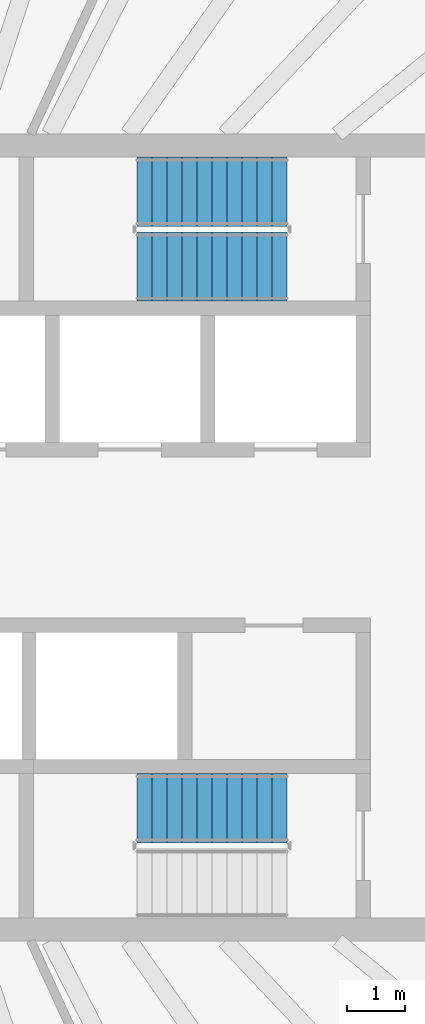
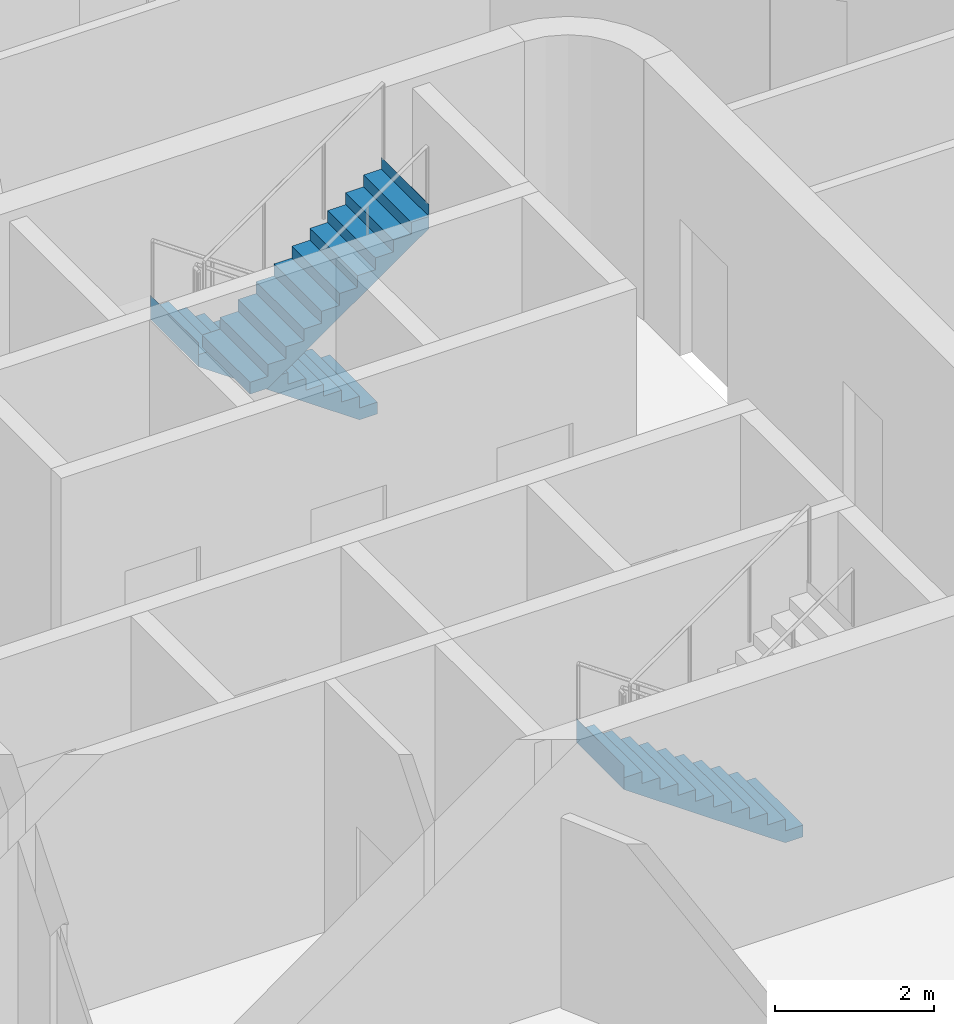
# One storey, part 13 of 18: 3 stair flights, 2 elements without a shape of their own.
"""IFC4 building model written with IfcOpenShell, lengths in metres."""

from ifc_helpers import new_model, si_unit, direction, frame, origin, place, context, subcontext, project, spatial, triangles, material, type_object, element, aggregate, save


model = new_model("IFC4")

# Units and contexts
model_context = context("Model", 3, precision=1e-05, world=origin(), true_north=direction((0.0, 1.0)))
body_context = subcontext(model_context, "Body", "Model", "MODEL_VIEW")
ifc_project = project(units=[si_unit("LENGTHUNIT", "METRE"), si_unit("AREAUNIT", "SQUARE_METRE"), si_unit("VOLUMEUNIT", "CUBIC_METRE"), si_unit("PLANEANGLEUNIT", "RADIAN"), si_unit("MASSUNIT", "GRAM", prefix="KILO")], contexts=[model_context])

# Site, building, storey
site_placement = place(None, origin())
site = spatial("IfcSite", under=ifc_project, at=site_placement, CompositionType="ELEMENT")
building_placement = place(site_placement, origin())
building = spatial("IfcBuilding", under=site, at=building_placement, Name="Sahrelin Media Tower", CompositionType="ELEMENT")
storey_placement = place(building_placement, frame((0.0, 0.0, 316.39990234375)))
storey = spatial("IfcBuildingStorey", under=building, at=storey_placement, Name="L70", CompositionType="ELEMENT", Elevation=316.39990234375)

# Stair, stair flights
ifc_material = material(Name="Concrete C40/50", Category="concrete")
stair_type = type_object("IfcStairType", Name="Exit stair 1200", PredefinedType="HALF_TURN_STAIR", material=ifc_material)
placement = place(storey_placement, origin())
stair_1 = element("IfcStair", 1, at=placement, inside=storey, type_object=stair_type, Name="L70 Exit stair ST3", PredefinedType="HALF_TURN_STAIR")
stair_flight_type = type_object("IfcStairFlightType", Name="Stair flight 1200", PredefinedType="STRAIGHT", material=ifc_material)
stair_flight_1_placement = place(storey_placement, frame((7.675048828125, 6.0, 0.0), z_axis=(0.0, 0.0, 1.0), x_axis=(-1.0, 0.0, 0.0)))
stair_flight_1 = element("IfcStairFlight", 2, at=stair_flight_1_placement, type_object=stair_flight_type, Name="ST3 flight 1", NumberOfRisers=11, NumberOfTreads=10, PredefinedType="STRAIGHT", RiserHeight=0.181818182, TreadLength=0.26, context=body_context, shape_type="Tessellation", body=[
    triangles([(0.261474609375, 0.60009765625, 0.0), (0.261474609375, 0.300048828125, 0.0), (0.261474609375, 0.0, 0.0), (0.261474609375, -0.300048828125, 0.0), (0.261474609375, -0.60009765625, 0.0), (2.60009765625, 0.60009765625, 1.63525390625), (2.60009765625, 0.300048828125, 1.63525390625), (2.60009765625, 0.0, 1.63525390625), (2.60009765625, -0.300048828125, 1.63525390625), (2.60009765625, -0.60009765625, 1.63525390625), (2.60009765625, 0.60009765625, 2.0), (2.60009765625, 0.300048828125, 2.0), (2.60009765625, 0.0, 2.0), (2.60009765625, -0.300048828125, 2.0), (2.60009765625, -0.60009765625, 2.0), (2.597900390625, 0.60009765625, 2.0), (2.597900390625, 0.300048828125, 2.0), (2.597900390625, 0.0, 2.0), (2.597900390625, -0.300048828125, 2.0), (2.597900390625, -0.60009765625, 2.0), (2.597900390625, 0.60009765625, 1.818115234375), (2.597900390625, 0.300048828125, 1.818115234375), (2.597900390625, 0.0, 1.818115234375), (2.597900390625, -0.300048828125, 1.818115234375), (2.597900390625, -0.60009765625, 1.818115234375), (2.340087890625, 0.60009765625, 1.818115234375), (2.340087890625, 0.300048828125, 1.818115234375), (2.340087890625, 0.0, 1.818115234375), (2.340087890625, -0.300048828125, 1.818115234375), (2.340087890625, -0.60009765625, 1.818115234375), (2.340087890625, 0.60009765625, 1.636474609375), (2.340087890625, 0.300048828125, 1.636474609375), (2.340087890625, 0.0, 1.636474609375), (2.340087890625, -0.300048828125, 1.636474609375), (2.340087890625, -0.60009765625, 1.636474609375), (2.080078125, 0.60009765625, 1.636474609375), (2.080078125, 0.300048828125, 1.636474609375), (2.080078125, 0.0, 1.636474609375), (2.080078125, -0.300048828125, 1.636474609375), (2.080078125, -0.60009765625, 1.636474609375), (2.080078125, 0.60009765625, 1.45458984375), (2.080078125, 0.300048828125, 1.45458984375), (2.080078125, 0.0, 1.45458984375), (2.080078125, -0.300048828125, 1.45458984375), (2.080078125, -0.60009765625, 1.45458984375), (1.820068359375, 0.60009765625, 1.45458984375), (1.820068359375, 0.300048828125, 1.45458984375), (1.820068359375, 0.0, 1.45458984375), (1.820068359375, -0.300048828125, 1.45458984375), (1.820068359375, -0.60009765625, 1.45458984375), (1.820068359375, 0.60009765625, 1.272705078125), (1.820068359375, 0.300048828125, 1.272705078125), (1.820068359375, 0.0, 1.272705078125), (1.820068359375, -0.300048828125, 1.272705078125), (1.820068359375, -0.60009765625, 1.272705078125), (1.56005859375, 0.60009765625, 1.272705078125), (1.56005859375, 0.300048828125, 1.272705078125), (1.56005859375, 0.0, 1.272705078125), (1.56005859375, -0.300048828125, 1.272705078125), (1.56005859375, -0.60009765625, 1.272705078125), (1.56005859375, 0.60009765625, 1.0908203125), (1.56005859375, 0.300048828125, 1.0908203125), (1.56005859375, 0.0, 1.0908203125), (1.56005859375, -0.300048828125, 1.0908203125), (1.56005859375, -0.60009765625, 1.0908203125), (1.300048828125, 0.60009765625, 1.0908203125), (1.300048828125, 0.300048828125, 1.0908203125), (1.300048828125, 0.0, 1.0908203125), (1.300048828125, -0.300048828125, 1.0908203125), (1.300048828125, -0.60009765625, 1.0908203125), (1.300048828125, 0.60009765625, 0.9091796875), (1.300048828125, 0.300048828125, 0.9091796875), (1.300048828125, 0.0, 0.9091796875), (1.300048828125, -0.300048828125, 0.9091796875), (1.300048828125, -0.60009765625, 0.9091796875), (1.0400390625, 0.60009765625, 0.9091796875), (1.0400390625, 0.300048828125, 0.9091796875), (1.0400390625, 0.0, 0.9091796875), (1.0400390625, -0.300048828125, 0.9091796875), (1.0400390625, -0.60009765625, 0.9091796875), (1.0400390625, 0.60009765625, 0.727294921875), (1.0400390625, 0.300048828125, 0.727294921875), (1.0400390625, 0.0, 0.727294921875), (1.0400390625, -0.300048828125, 0.727294921875), (1.0400390625, -0.60009765625, 0.727294921875), (0.780029296875, 0.60009765625, 0.727294921875), (0.780029296875, 0.300048828125, 0.727294921875), (0.780029296875, 0.0, 0.727294921875), (0.780029296875, -0.300048828125, 0.727294921875), (0.780029296875, -0.60009765625, 0.727294921875), (0.780029296875, 0.60009765625, 0.54541015625), (0.780029296875, 0.300048828125, 0.54541015625), (0.780029296875, 0.0, 0.54541015625), (0.780029296875, -0.300048828125, 0.54541015625), (0.780029296875, -0.60009765625, 0.54541015625), (0.52001953125, 0.60009765625, 0.54541015625), (0.52001953125, 0.300048828125, 0.54541015625), (0.52001953125, 0.0, 0.54541015625), (0.52001953125, -0.300048828125, 0.54541015625), (0.52001953125, -0.60009765625, 0.54541015625), (0.52001953125, 0.60009765625, 0.363525390625), (0.52001953125, 0.300048828125, 0.363525390625), (0.52001953125, 0.0, 0.363525390625), (0.52001953125, -0.300048828125, 0.363525390625), (0.52001953125, -0.60009765625, 0.363525390625), (0.260009765625, 0.60009765625, 0.363525390625), (0.260009765625, 0.300048828125, 0.363525390625), (0.260009765625, 0.0, 0.363525390625), (0.260009765625, -0.300048828125, 0.363525390625), (0.260009765625, -0.60009765625, 0.363525390625), (0.260009765625, 0.60009765625, 0.181884765625), (0.260009765625, 0.300048828125, 0.181884765625), (0.260009765625, 0.0, 0.181884765625), (0.260009765625, -0.300048828125, 0.181884765625), (0.260009765625, -0.60009765625, 0.181884765625), (0.0, 0.60009765625, 0.181884765625), (0.0, 0.300048828125, 0.181884765625), (0.0, 0.0, 0.181884765625), (0.0, -0.300048828125, 0.181884765625), (0.0, -0.60009765625, 0.181884765625), (0.0, 0.60009765625, 0.0), (0.0, 0.300048828125, 0.0), (0.0, 0.0, 0.0), (0.0, -0.300048828125, 0.0), (0.0, -0.60009765625, 0.0)], [[1, 6, 7], [1, 7, 2], [2, 7, 8], [2, 8, 3], [3, 8, 9], [3, 9, 4], [4, 9, 10], [4, 10, 5], [6, 11, 12], [6, 12, 7], [7, 12, 13], [7, 13, 8], [8, 13, 14], [8, 14, 9], [9, 14, 15], [9, 15, 10], [11, 16, 17], [11, 17, 12], [12, 17, 18], [12, 18, 13], [13, 18, 19], [13, 19, 14], [14, 19, 20], [14, 20, 15], [16, 21, 22], [16, 22, 17], [17, 22, 23], [17, 23, 18], [18, 23, 24], [18, 24, 19], [19, 24, 25], [19, 25, 20], [21, 26, 27], [21, 27, 22], [22, 27, 28], [22, 28, 23], [23, 28, 29], [23, 29, 24], [24, 29, 30], [24, 30, 25], [26, 31, 32], [26, 32, 27], [27, 32, 33], [27, 33, 28], [28, 33, 34], [28, 34, 29], [29, 34, 35], [29, 35, 30], [31, 36, 37], [31, 37, 32], [32, 37, 38], [32, 38, 33], [33, 38, 39], [33, 39, 34], [34, 39, 40], [34, 40, 35], [36, 41, 42], [36, 42, 37], [37, 42, 43], [37, 43, 38], [38, 43, 44], [38, 44, 39], [39, 44, 45], [39, 45, 40], [41, 46, 47], [41, 47, 42], [42, 47, 48], [42, 48, 43], [43, 48, 49], [43, 49, 44], [44, 49, 50], [44, 50, 45], [46, 51, 52], [46, 52, 47], [47, 52, 53], [47, 53, 48], [48, 53, 54], [48, 54, 49], [49, 54, 55], [49, 55, 50], [51, 56, 57], [51, 57, 52], [52, 57, 58], [52, 58, 53], [53, 58, 59], [53, 59, 54], [54, 59, 60], [54, 60, 55], [56, 61, 62], [56, 62, 57], [57, 62, 63], [57, 63, 58], [58, 63, 64], [58, 64, 59], [59, 64, 65], [59, 65, 60], [61, 66, 67], [61, 67, 62], [62, 67, 68], [62, 68, 63], [63, 68, 69], [63, 69, 64], [64, 69, 70], [64, 70, 65], [66, 71, 72], [66, 72, 67], [67, 72, 73], [67, 73, 68], [68, 73, 74], [68, 74, 69], [69, 74, 75], [69, 75, 70], [71, 76, 77], [71, 77, 72], [72, 77, 78], [72, 78, 73], [73, 78, 79], [73, 79, 74], [74, 79, 80], [74, 80, 75], [76, 81, 82], [76, 82, 77], [77, 82, 83], [77, 83, 78], [78, 83, 84], [78, 84, 79], [79, 84, 85], [79, 85, 80], [81, 86, 87], [81, 87, 82], [82, 87, 88], [82, 88, 83], [83, 88, 89], [83, 89, 84], [84, 89, 90], [84, 90, 85], [86, 91, 92], [86, 92, 87], [87, 92, 93], [87, 93, 88], [88, 93, 94], [88, 94, 89], [89, 94, 95], [89, 95, 90], [91, 96, 97], [91, 97, 92], [92, 97, 98], [92, 98, 93], [93, 98, 99], [93, 99, 94], [94, 99, 100], [94, 100, 95], [96, 101, 102], [96, 102, 97], [97, 102, 103], [97, 103, 98], [98, 103, 104], [98, 104, 99], [99, 104, 105], [99, 105, 100], [101, 106, 107], [101, 107, 102], [102, 107, 108], [102, 108, 103], [103, 108, 109], [103, 109, 104], [104, 109, 110], [104, 110, 105], [106, 111, 112], [106, 112, 107], [107, 112, 113], [107, 113, 108], [108, 113, 114], [108, 114, 109], [109, 114, 115], [109, 115, 110], [111, 116, 117], [111, 117, 112], [112, 117, 118], [112, 118, 113], [113, 118, 119], [113, 119, 114], [114, 119, 120], [114, 120, 115], [116, 121, 122], [116, 122, 117], [117, 122, 123], [117, 123, 118], [118, 123, 124], [118, 124, 119], [119, 124, 125], [119, 125, 120], [121, 1, 2], [121, 2, 122], [122, 2, 3], [122, 3, 123], [123, 3, 4], [123, 4, 124], [124, 4, 5], [124, 5, 125], [115, 120, 125], [111, 121, 116], [115, 105, 110], [111, 106, 101], [105, 95, 100], [101, 96, 91], [95, 85, 90], [91, 86, 81], [85, 75, 80], [81, 76, 71], [75, 65, 70], [71, 66, 61], [65, 55, 60], [61, 56, 51], [55, 45, 50], [51, 46, 41], [45, 35, 40], [41, 36, 31], [35, 25, 30], [31, 26, 21], [25, 15, 20], [21, 16, 11], [125, 5, 115], [121, 111, 1], [25, 10, 15], [21, 11, 6], [105, 115, 5], [101, 1, 111], [35, 10, 25], [31, 21, 6], [95, 105, 5], [91, 1, 101], [45, 10, 35], [41, 31, 6], [85, 95, 5], [81, 1, 91], [55, 10, 45], [51, 41, 6], [75, 85, 5], [71, 1, 81], [65, 10, 55], [61, 51, 6], [5, 10, 75], [1, 71, 6], [75, 10, 65], [71, 61, 6]], closed=True),
])
stair_flight_2_placement = place(storey_placement, frame((5.074951171875, 4.699951171875, 2.0), z_axis=(0.0, 0.0, 1.0), x_axis=(1.0, 0.0, 0.0)))
stair_flight_2 = element("IfcStairFlight", 3, at=stair_flight_2_placement, type_object=stair_flight_type, Name="ST3 flight 2", NumberOfRisers=11, NumberOfTreads=10, PredefinedType="STRAIGHT", RiserHeight=0.181818182, TreadLength=0.26, context=body_context, shape_type="Tessellation", body=[
    triangles([(0.261474609375, 0.60009765625, 0.0), (0.261474609375, 0.300048828125, 0.0), (0.261474609375, 0.0, 0.0), (0.261474609375, -0.300048828125, 0.0), (0.261474609375, -0.60009765625, 0.0), (2.60009765625, 0.60009765625, 1.63525390625), (2.60009765625, 0.300048828125, 1.63525390625), (2.60009765625, 0.0, 1.63525390625), (2.60009765625, -0.300048828125, 1.63525390625), (2.60009765625, -0.60009765625, 1.63525390625), (2.60009765625, 0.60009765625, 2.0), (2.60009765625, 0.300048828125, 2.0), (2.60009765625, 0.0, 2.0), (2.60009765625, -0.300048828125, 2.0), (2.60009765625, -0.60009765625, 2.0), (2.597900390625, 0.60009765625, 2.0), (2.597900390625, 0.300048828125, 2.0), (2.597900390625, 0.0, 2.0), (2.597900390625, -0.300048828125, 2.0), (2.597900390625, -0.60009765625, 2.0), (2.597900390625, 0.60009765625, 1.818115234375), (2.597900390625, 0.300048828125, 1.818115234375), (2.597900390625, 0.0, 1.818115234375), (2.597900390625, -0.300048828125, 1.818115234375), (2.597900390625, -0.60009765625, 1.818115234375), (2.340087890625, 0.60009765625, 1.818115234375), (2.340087890625, 0.300048828125, 1.818115234375), (2.340087890625, 0.0, 1.818115234375), (2.340087890625, -0.300048828125, 1.818115234375), (2.340087890625, -0.60009765625, 1.818115234375), (2.340087890625, 0.60009765625, 1.636474609375), (2.340087890625, 0.300048828125, 1.636474609375), (2.340087890625, 0.0, 1.636474609375), (2.340087890625, -0.300048828125, 1.636474609375), (2.340087890625, -0.60009765625, 1.636474609375), (2.080078125, 0.60009765625, 1.636474609375), (2.080078125, 0.300048828125, 1.636474609375), (2.080078125, 0.0, 1.636474609375), (2.080078125, -0.300048828125, 1.636474609375), (2.080078125, -0.60009765625, 1.636474609375), (2.080078125, 0.60009765625, 1.45458984375), (2.080078125, 0.300048828125, 1.45458984375), (2.080078125, 0.0, 1.45458984375), (2.080078125, -0.300048828125, 1.45458984375), (2.080078125, -0.60009765625, 1.45458984375), (1.820068359375, 0.60009765625, 1.45458984375), (1.820068359375, 0.300048828125, 1.45458984375), (1.820068359375, 0.0, 1.45458984375), (1.820068359375, -0.300048828125, 1.45458984375), (1.820068359375, -0.60009765625, 1.45458984375), (1.820068359375, 0.60009765625, 1.272705078125), (1.820068359375, 0.300048828125, 1.272705078125), (1.820068359375, 0.0, 1.272705078125), (1.820068359375, -0.300048828125, 1.272705078125), (1.820068359375, -0.60009765625, 1.272705078125), (1.56005859375, 0.60009765625, 1.272705078125), (1.56005859375, 0.300048828125, 1.272705078125), (1.56005859375, 0.0, 1.272705078125), (1.56005859375, -0.300048828125, 1.272705078125), (1.56005859375, -0.60009765625, 1.272705078125), (1.56005859375, 0.60009765625, 1.0908203125), (1.56005859375, 0.300048828125, 1.0908203125), (1.56005859375, 0.0, 1.0908203125), (1.56005859375, -0.300048828125, 1.0908203125), (1.56005859375, -0.60009765625, 1.0908203125), (1.300048828125, 0.60009765625, 1.0908203125), (1.300048828125, 0.300048828125, 1.0908203125), (1.300048828125, 0.0, 1.0908203125), (1.300048828125, -0.300048828125, 1.0908203125), (1.300048828125, -0.60009765625, 1.0908203125), (1.300048828125, 0.60009765625, 0.9091796875), (1.300048828125, 0.300048828125, 0.9091796875), (1.300048828125, 0.0, 0.9091796875), (1.300048828125, -0.300048828125, 0.9091796875), (1.300048828125, -0.60009765625, 0.9091796875), (1.0400390625, 0.60009765625, 0.9091796875), (1.0400390625, 0.300048828125, 0.9091796875), (1.0400390625, 0.0, 0.9091796875), (1.0400390625, -0.300048828125, 0.9091796875), (1.0400390625, -0.60009765625, 0.9091796875), (1.0400390625, 0.60009765625, 0.727294921875), (1.0400390625, 0.300048828125, 0.727294921875), (1.0400390625, 0.0, 0.727294921875), (1.0400390625, -0.300048828125, 0.727294921875), (1.0400390625, -0.60009765625, 0.727294921875), (0.780029296875, 0.60009765625, 0.727294921875), (0.780029296875, 0.300048828125, 0.727294921875), (0.780029296875, 0.0, 0.727294921875), (0.780029296875, -0.300048828125, 0.727294921875), (0.780029296875, -0.60009765625, 0.727294921875), (0.780029296875, 0.60009765625, 0.54541015625), (0.780029296875, 0.300048828125, 0.54541015625), (0.780029296875, 0.0, 0.54541015625), (0.780029296875, -0.300048828125, 0.54541015625), (0.780029296875, -0.60009765625, 0.54541015625), (0.52001953125, 0.60009765625, 0.54541015625), (0.52001953125, 0.300048828125, 0.54541015625), (0.52001953125, 0.0, 0.54541015625), (0.52001953125, -0.300048828125, 0.54541015625), (0.52001953125, -0.60009765625, 0.54541015625), (0.52001953125, 0.60009765625, 0.363525390625), (0.52001953125, 0.300048828125, 0.363525390625), (0.52001953125, 0.0, 0.363525390625), (0.52001953125, -0.300048828125, 0.363525390625), (0.52001953125, -0.60009765625, 0.363525390625), (0.260009765625, 0.60009765625, 0.363525390625), (0.260009765625, 0.300048828125, 0.363525390625), (0.260009765625, 0.0, 0.363525390625), (0.260009765625, -0.300048828125, 0.363525390625), (0.260009765625, -0.60009765625, 0.363525390625), (0.260009765625, 0.60009765625, 0.181884765625), (0.260009765625, 0.300048828125, 0.181884765625), (0.260009765625, 0.0, 0.181884765625), (0.260009765625, -0.300048828125, 0.181884765625), (0.260009765625, -0.60009765625, 0.181884765625), (0.0, 0.60009765625, 0.181884765625), (0.0, 0.300048828125, 0.181884765625), (0.0, 0.0, 0.181884765625), (0.0, -0.300048828125, 0.181884765625), (0.0, -0.60009765625, 0.181884765625), (0.0, 0.60009765625, 0.0), (0.0, 0.300048828125, 0.0), (0.0, 0.0, 0.0), (0.0, -0.300048828125, 0.0), (0.0, -0.60009765625, 0.0)], [[1, 6, 7], [1, 7, 2], [2, 7, 8], [2, 8, 3], [3, 8, 9], [3, 9, 4], [4, 9, 10], [4, 10, 5], [6, 11, 12], [6, 12, 7], [7, 12, 13], [7, 13, 8], [8, 13, 14], [8, 14, 9], [9, 14, 15], [9, 15, 10], [11, 16, 17], [11, 17, 12], [12, 17, 18], [12, 18, 13], [13, 18, 19], [13, 19, 14], [14, 19, 20], [14, 20, 15], [16, 21, 22], [16, 22, 17], [17, 22, 23], [17, 23, 18], [18, 23, 24], [18, 24, 19], [19, 24, 25], [19, 25, 20], [21, 26, 27], [21, 27, 22], [22, 27, 28], [22, 28, 23], [23, 28, 29], [23, 29, 24], [24, 29, 30], [24, 30, 25], [26, 31, 32], [26, 32, 27], [27, 32, 33], [27, 33, 28], [28, 33, 34], [28, 34, 29], [29, 34, 35], [29, 35, 30], [31, 36, 37], [31, 37, 32], [32, 37, 38], [32, 38, 33], [33, 38, 39], [33, 39, 34], [34, 39, 40], [34, 40, 35], [36, 41, 42], [36, 42, 37], [37, 42, 43], [37, 43, 38], [38, 43, 44], [38, 44, 39], [39, 44, 45], [39, 45, 40], [41, 46, 47], [41, 47, 42], [42, 47, 48], [42, 48, 43], [43, 48, 49], [43, 49, 44], [44, 49, 50], [44, 50, 45], [46, 51, 52], [46, 52, 47], [47, 52, 53], [47, 53, 48], [48, 53, 54], [48, 54, 49], [49, 54, 55], [49, 55, 50], [51, 56, 57], [51, 57, 52], [52, 57, 58], [52, 58, 53], [53, 58, 59], [53, 59, 54], [54, 59, 60], [54, 60, 55], [56, 61, 62], [56, 62, 57], [57, 62, 63], [57, 63, 58], [58, 63, 64], [58, 64, 59], [59, 64, 65], [59, 65, 60], [61, 66, 67], [61, 67, 62], [62, 67, 68], [62, 68, 63], [63, 68, 69], [63, 69, 64], [64, 69, 70], [64, 70, 65], [66, 71, 72], [66, 72, 67], [67, 72, 73], [67, 73, 68], [68, 73, 74], [68, 74, 69], [69, 74, 75], [69, 75, 70], [71, 76, 77], [71, 77, 72], [72, 77, 78], [72, 78, 73], [73, 78, 79], [73, 79, 74], [74, 79, 80], [74, 80, 75], [76, 81, 82], [76, 82, 77], [77, 82, 83], [77, 83, 78], [78, 83, 84], [78, 84, 79], [79, 84, 85], [79, 85, 80], [81, 86, 87], [81, 87, 82], [82, 87, 88], [82, 88, 83], [83, 88, 89], [83, 89, 84], [84, 89, 90], [84, 90, 85], [86, 91, 92], [86, 92, 87], [87, 92, 93], [87, 93, 88], [88, 93, 94], [88, 94, 89], [89, 94, 95], [89, 95, 90], [91, 96, 97], [91, 97, 92], [92, 97, 98], [92, 98, 93], [93, 98, 99], [93, 99, 94], [94, 99, 100], [94, 100, 95], [96, 101, 102], [96, 102, 97], [97, 102, 103], [97, 103, 98], [98, 103, 104], [98, 104, 99], [99, 104, 105], [99, 105, 100], [101, 106, 107], [101, 107, 102], [102, 107, 108], [102, 108, 103], [103, 108, 109], [103, 109, 104], [104, 109, 110], [104, 110, 105], [106, 111, 112], [106, 112, 107], [107, 112, 113], [107, 113, 108], [108, 113, 114], [108, 114, 109], [109, 114, 115], [109, 115, 110], [111, 116, 117], [111, 117, 112], [112, 117, 118], [112, 118, 113], [113, 118, 119], [113, 119, 114], [114, 119, 120], [114, 120, 115], [116, 121, 122], [116, 122, 117], [117, 122, 123], [117, 123, 118], [118, 123, 124], [118, 124, 119], [119, 124, 125], [119, 125, 120], [121, 1, 2], [121, 2, 122], [122, 2, 3], [122, 3, 123], [123, 3, 4], [123, 4, 124], [124, 4, 5], [124, 5, 125], [115, 120, 125], [111, 121, 116], [115, 105, 110], [111, 106, 101], [105, 95, 100], [101, 96, 91], [95, 85, 90], [91, 86, 81], [85, 75, 80], [81, 76, 71], [75, 65, 70], [71, 66, 61], [65, 55, 60], [61, 56, 51], [55, 45, 50], [51, 46, 41], [45, 35, 40], [41, 36, 31], [35, 25, 30], [31, 26, 21], [25, 15, 20], [21, 16, 11], [125, 5, 115], [121, 111, 1], [25, 10, 15], [21, 11, 6], [105, 115, 5], [101, 1, 111], [35, 10, 25], [31, 21, 6], [95, 105, 5], [91, 1, 101], [45, 10, 35], [41, 31, 6], [85, 95, 5], [81, 1, 91], [55, 10, 45], [51, 41, 6], [75, 85, 5], [71, 1, 81], [65, 10, 55], [61, 51, 6], [5, 10, 75], [1, 71, 6], [75, 10, 65], [71, 61, 6]], closed=True),
])
aggregate(stair_1, [stair_flight_1, stair_flight_2])

# Stair, stair flight
stair_2 = element("IfcStair", 4, at=placement, inside=storey, type_object=stair_type, Name="L70 Exit stair ST2", PredefinedType="HALF_TURN_STAIR")
stair_flight_3_placement = place(storey_placement, frame((7.675048828125, -4.699951171875, 0.0), z_axis=(0.0, 0.0, 1.0), x_axis=(-1.0, 0.0, 0.0)))
stair_flight_3 = element("IfcStairFlight", 5, at=stair_flight_3_placement, type_object=stair_flight_type, Name="ST2 flight 1", NumberOfRisers=11, NumberOfTreads=10, PredefinedType="STRAIGHT", RiserHeight=0.181818182, TreadLength=0.26, context=body_context, shape_type="Tessellation", body=[
    triangles([(0.261474609375, 0.60009765625, 0.0), (0.261474609375, 0.300048828125, 0.0), (0.261474609375, 0.0, 0.0), (0.261474609375, -0.300048828125, 0.0), (0.261474609375, -0.60009765625, 0.0), (2.60009765625, 0.60009765625, 1.63525390625), (2.60009765625, 0.300048828125, 1.63525390625), (2.60009765625, 0.0, 1.63525390625), (2.60009765625, -0.300048828125, 1.63525390625), (2.60009765625, -0.60009765625, 1.63525390625), (2.60009765625, 0.60009765625, 2.0), (2.60009765625, 0.300048828125, 2.0), (2.60009765625, 0.0, 2.0), (2.60009765625, -0.300048828125, 2.0), (2.60009765625, -0.60009765625, 2.0), (2.597900390625, 0.60009765625, 2.0), (2.597900390625, 0.300048828125, 2.0), (2.597900390625, 0.0, 2.0), (2.597900390625, -0.300048828125, 2.0), (2.597900390625, -0.60009765625, 2.0), (2.597900390625, 0.60009765625, 1.818115234375), (2.597900390625, 0.300048828125, 1.818115234375), (2.597900390625, 0.0, 1.818115234375), (2.597900390625, -0.300048828125, 1.818115234375), (2.597900390625, -0.60009765625, 1.818115234375), (2.340087890625, 0.60009765625, 1.818115234375), (2.340087890625, 0.300048828125, 1.818115234375), (2.340087890625, 0.0, 1.818115234375), (2.340087890625, -0.300048828125, 1.818115234375), (2.340087890625, -0.60009765625, 1.818115234375), (2.340087890625, 0.60009765625, 1.636474609375), (2.340087890625, 0.300048828125, 1.636474609375), (2.340087890625, 0.0, 1.636474609375), (2.340087890625, -0.300048828125, 1.636474609375), (2.340087890625, -0.60009765625, 1.636474609375), (2.080078125, 0.60009765625, 1.636474609375), (2.080078125, 0.300048828125, 1.636474609375), (2.080078125, 0.0, 1.636474609375), (2.080078125, -0.300048828125, 1.636474609375), (2.080078125, -0.60009765625, 1.636474609375), (2.080078125, 0.60009765625, 1.45458984375), (2.080078125, 0.300048828125, 1.45458984375), (2.080078125, 0.0, 1.45458984375), (2.080078125, -0.300048828125, 1.45458984375), (2.080078125, -0.60009765625, 1.45458984375), (1.820068359375, 0.60009765625, 1.45458984375), (1.820068359375, 0.300048828125, 1.45458984375), (1.820068359375, 0.0, 1.45458984375), (1.820068359375, -0.300048828125, 1.45458984375), (1.820068359375, -0.60009765625, 1.45458984375), (1.820068359375, 0.60009765625, 1.272705078125), (1.820068359375, 0.300048828125, 1.272705078125), (1.820068359375, 0.0, 1.272705078125), (1.820068359375, -0.300048828125, 1.272705078125), (1.820068359375, -0.60009765625, 1.272705078125), (1.56005859375, 0.60009765625, 1.272705078125), (1.56005859375, 0.300048828125, 1.272705078125), (1.56005859375, 0.0, 1.272705078125), (1.56005859375, -0.300048828125, 1.272705078125), (1.56005859375, -0.60009765625, 1.272705078125), (1.56005859375, 0.60009765625, 1.0908203125), (1.56005859375, 0.300048828125, 1.0908203125), (1.56005859375, 0.0, 1.0908203125), (1.56005859375, -0.300048828125, 1.0908203125), (1.56005859375, -0.60009765625, 1.0908203125), (1.300048828125, 0.60009765625, 1.0908203125), (1.300048828125, 0.300048828125, 1.0908203125), (1.300048828125, 0.0, 1.0908203125), (1.300048828125, -0.300048828125, 1.0908203125), (1.300048828125, -0.60009765625, 1.0908203125), (1.300048828125, 0.60009765625, 0.9091796875), (1.300048828125, 0.300048828125, 0.9091796875), (1.300048828125, 0.0, 0.9091796875), (1.300048828125, -0.300048828125, 0.9091796875), (1.300048828125, -0.60009765625, 0.9091796875), (1.0400390625, 0.60009765625, 0.9091796875), (1.0400390625, 0.300048828125, 0.9091796875), (1.0400390625, 0.0, 0.9091796875), (1.0400390625, -0.300048828125, 0.9091796875), (1.0400390625, -0.60009765625, 0.9091796875), (1.0400390625, 0.60009765625, 0.727294921875), (1.0400390625, 0.300048828125, 0.727294921875), (1.0400390625, 0.0, 0.727294921875), (1.0400390625, -0.300048828125, 0.727294921875), (1.0400390625, -0.60009765625, 0.727294921875), (0.780029296875, 0.60009765625, 0.727294921875), (0.780029296875, 0.300048828125, 0.727294921875), (0.780029296875, 0.0, 0.727294921875), (0.780029296875, -0.300048828125, 0.727294921875), (0.780029296875, -0.60009765625, 0.727294921875), (0.780029296875, 0.60009765625, 0.54541015625), (0.780029296875, 0.300048828125, 0.54541015625), (0.780029296875, 0.0, 0.54541015625), (0.780029296875, -0.300048828125, 0.54541015625), (0.780029296875, -0.60009765625, 0.54541015625), (0.52001953125, 0.60009765625, 0.54541015625), (0.52001953125, 0.300048828125, 0.54541015625), (0.52001953125, 0.0, 0.54541015625), (0.52001953125, -0.300048828125, 0.54541015625), (0.52001953125, -0.60009765625, 0.54541015625), (0.52001953125, 0.60009765625, 0.363525390625), (0.52001953125, 0.300048828125, 0.363525390625), (0.52001953125, 0.0, 0.363525390625), (0.52001953125, -0.300048828125, 0.363525390625), (0.52001953125, -0.60009765625, 0.363525390625), (0.260009765625, 0.60009765625, 0.363525390625), (0.260009765625, 0.300048828125, 0.363525390625), (0.260009765625, 0.0, 0.363525390625), (0.260009765625, -0.300048828125, 0.363525390625), (0.260009765625, -0.60009765625, 0.363525390625), (0.260009765625, 0.60009765625, 0.181884765625), (0.260009765625, 0.300048828125, 0.181884765625), (0.260009765625, 0.0, 0.181884765625), (0.260009765625, -0.300048828125, 0.181884765625), (0.260009765625, -0.60009765625, 0.181884765625), (0.0, 0.60009765625, 0.181884765625), (0.0, 0.300048828125, 0.181884765625), (0.0, 0.0, 0.181884765625), (0.0, -0.300048828125, 0.181884765625), (0.0, -0.60009765625, 0.181884765625), (0.0, 0.60009765625, 0.0), (0.0, 0.300048828125, 0.0), (0.0, 0.0, 0.0), (0.0, -0.300048828125, 0.0), (0.0, -0.60009765625, 0.0)], [[1, 6, 7], [1, 7, 2], [2, 7, 8], [2, 8, 3], [3, 8, 9], [3, 9, 4], [4, 9, 10], [4, 10, 5], [6, 11, 12], [6, 12, 7], [7, 12, 13], [7, 13, 8], [8, 13, 14], [8, 14, 9], [9, 14, 15], [9, 15, 10], [11, 16, 17], [11, 17, 12], [12, 17, 18], [12, 18, 13], [13, 18, 19], [13, 19, 14], [14, 19, 20], [14, 20, 15], [16, 21, 22], [16, 22, 17], [17, 22, 23], [17, 23, 18], [18, 23, 24], [18, 24, 19], [19, 24, 25], [19, 25, 20], [21, 26, 27], [21, 27, 22], [22, 27, 28], [22, 28, 23], [23, 28, 29], [23, 29, 24], [24, 29, 30], [24, 30, 25], [26, 31, 32], [26, 32, 27], [27, 32, 33], [27, 33, 28], [28, 33, 34], [28, 34, 29], [29, 34, 35], [29, 35, 30], [31, 36, 37], [31, 37, 32], [32, 37, 38], [32, 38, 33], [33, 38, 39], [33, 39, 34], [34, 39, 40], [34, 40, 35], [36, 41, 42], [36, 42, 37], [37, 42, 43], [37, 43, 38], [38, 43, 44], [38, 44, 39], [39, 44, 45], [39, 45, 40], [41, 46, 47], [41, 47, 42], [42, 47, 48], [42, 48, 43], [43, 48, 49], [43, 49, 44], [44, 49, 50], [44, 50, 45], [46, 51, 52], [46, 52, 47], [47, 52, 53], [47, 53, 48], [48, 53, 54], [48, 54, 49], [49, 54, 55], [49, 55, 50], [51, 56, 57], [51, 57, 52], [52, 57, 58], [52, 58, 53], [53, 58, 59], [53, 59, 54], [54, 59, 60], [54, 60, 55], [56, 61, 62], [56, 62, 57], [57, 62, 63], [57, 63, 58], [58, 63, 64], [58, 64, 59], [59, 64, 65], [59, 65, 60], [61, 66, 67], [61, 67, 62], [62, 67, 68], [62, 68, 63], [63, 68, 69], [63, 69, 64], [64, 69, 70], [64, 70, 65], [66, 71, 72], [66, 72, 67], [67, 72, 73], [67, 73, 68], [68, 73, 74], [68, 74, 69], [69, 74, 75], [69, 75, 70], [71, 76, 77], [71, 77, 72], [72, 77, 78], [72, 78, 73], [73, 78, 79], [73, 79, 74], [74, 79, 80], [74, 80, 75], [76, 81, 82], [76, 82, 77], [77, 82, 83], [77, 83, 78], [78, 83, 84], [78, 84, 79], [79, 84, 85], [79, 85, 80], [81, 86, 87], [81, 87, 82], [82, 87, 88], [82, 88, 83], [83, 88, 89], [83, 89, 84], [84, 89, 90], [84, 90, 85], [86, 91, 92], [86, 92, 87], [87, 92, 93], [87, 93, 88], [88, 93, 94], [88, 94, 89], [89, 94, 95], [89, 95, 90], [91, 96, 97], [91, 97, 92], [92, 97, 98], [92, 98, 93], [93, 98, 99], [93, 99, 94], [94, 99, 100], [94, 100, 95], [96, 101, 102], [96, 102, 97], [97, 102, 103], [97, 103, 98], [98, 103, 104], [98, 104, 99], [99, 104, 105], [99, 105, 100], [101, 106, 107], [101, 107, 102], [102, 107, 108], [102, 108, 103], [103, 108, 109], [103, 109, 104], [104, 109, 110], [104, 110, 105], [106, 111, 112], [106, 112, 107], [107, 112, 113], [107, 113, 108], [108, 113, 114], [108, 114, 109], [109, 114, 115], [109, 115, 110], [111, 116, 117], [111, 117, 112], [112, 117, 118], [112, 118, 113], [113, 118, 119], [113, 119, 114], [114, 119, 120], [114, 120, 115], [116, 121, 122], [116, 122, 117], [117, 122, 123], [117, 123, 118], [118, 123, 124], [118, 124, 119], [119, 124, 125], [119, 125, 120], [121, 1, 2], [121, 2, 122], [122, 2, 3], [122, 3, 123], [123, 3, 4], [123, 4, 124], [124, 4, 5], [124, 5, 125], [115, 120, 125], [111, 121, 116], [115, 105, 110], [111, 106, 101], [105, 95, 100], [101, 96, 91], [95, 85, 90], [91, 86, 81], [85, 75, 80], [81, 76, 71], [75, 65, 70], [71, 66, 61], [65, 55, 60], [61, 56, 51], [55, 45, 50], [51, 46, 41], [45, 35, 40], [41, 36, 31], [35, 25, 30], [31, 26, 21], [25, 15, 20], [21, 16, 11], [125, 5, 115], [121, 111, 1], [25, 10, 15], [21, 11, 6], [105, 115, 5], [101, 1, 111], [35, 10, 25], [31, 21, 6], [95, 105, 5], [91, 1, 101], [45, 10, 35], [41, 31, 6], [85, 95, 5], [81, 1, 91], [55, 10, 45], [51, 41, 6], [75, 85, 5], [71, 1, 81], [65, 10, 55], [61, 51, 6], [5, 10, 75], [1, 71, 6], [75, 10, 65], [71, 61, 6]], closed=True),
])
aggregate(stair_2, [stair_flight_3])

save(model, "model.ifc")
